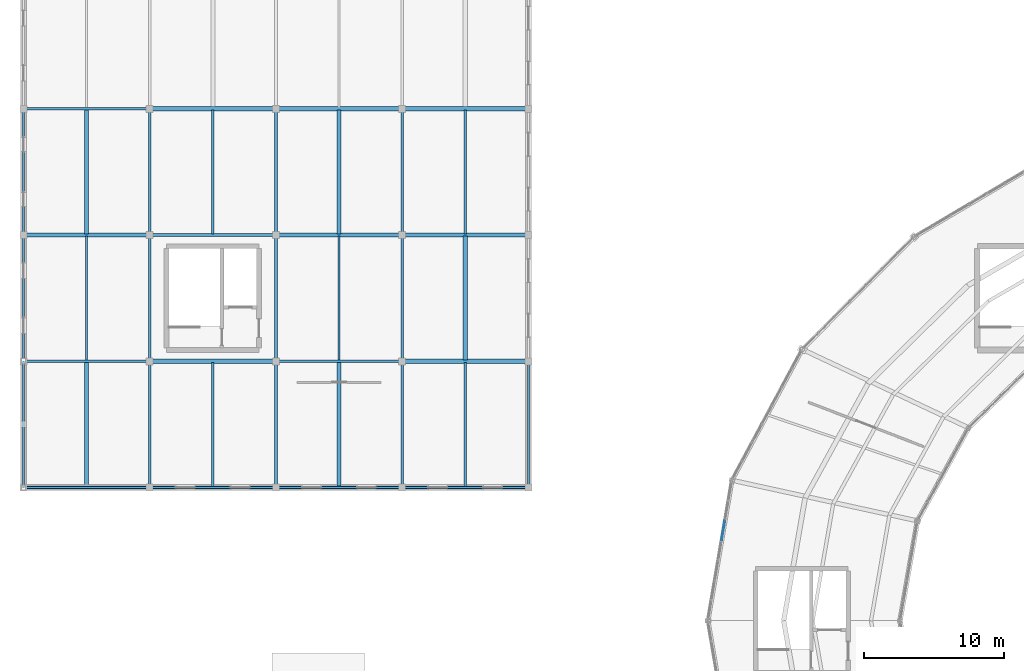
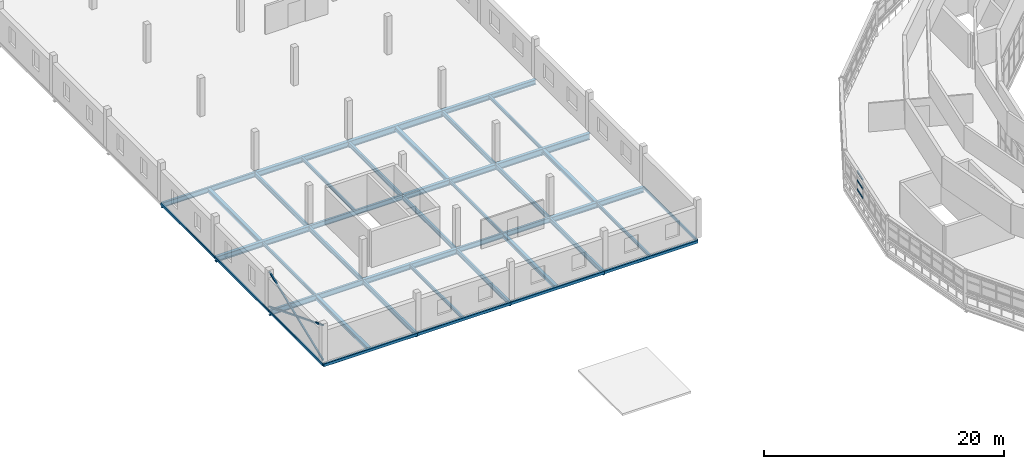
# One storey, part 41 of 123: 40 beams, 6 members, 1 element without a shape of its own.
"""IFC4 building model written with IfcOpenShell, lengths in metres."""

from ifc_helpers import new_model, si_unit, direction, frame, origin, origin_2d, place, context, subcontext, project, spatial, rectangle, hollow_rectangle, i_section, extrude, material, material_profile, profile_set, type_object, element, aggregate, save


model = new_model("IFC4")

# Units and contexts
model_context = context("Model", 3, precision=1e-05, world=origin(), true_north=direction((0.0, 1.0)))
body_context = subcontext(model_context, "Body", "Model", "MODEL_VIEW")
ifc_project = project(units=[si_unit("LENGTHUNIT", "METRE"), si_unit("AREAUNIT", "SQUARE_METRE"), si_unit("VOLUMEUNIT", "CUBIC_METRE"), si_unit("PLANEANGLEUNIT", "RADIAN"), si_unit("MASSUNIT", "GRAM", prefix="KILO")], contexts=[model_context])

# Site, building, storey
site_placement = place(None, origin())
site = spatial("IfcSite", under=ifc_project, at=site_placement, CompositionType="ELEMENT")
building_placement = place(site_placement, origin())
building = spatial("IfcBuilding", under=site, at=building_placement, Name="Kildeholm Park Wholesale Market", CompositionType="ELEMENT")
storey_placement = place(building_placement, frame((0.0, 0.0, 9.60009765625)))
storey = spatial("IfcBuildingStorey", under=building, at=storey_placement, Name="L02", CompositionType="ELEMENT", Elevation=9.60009765625)

# Beams
ifc_material_1 = material(Name="Steel S355", Category="steel")
ifc_material_profile_1 = material_profile(ifc_material_1, i_section(OverallWidth=0.18994140625, OverallDepth=0.449951171875, WebThickness=0.009521484375, FlangeThickness=0.0146484375, FilletRadius=0.02099609375, at=origin_2d()), Name="IPE 450")
ifc_profile_set_1 = profile_set([ifc_material_profile_1], Name="Steel S355")
beam_type_1 = type_object("IfcBeamType", Name="Beam B-P02 IPE 450", PredefinedType="BEAM", material=ifc_profile_set_1)
for number, where, z_axis, x_axis, name in (
    (1, (9.0, 99.0, -0.545166015625), (0.0, 1.0, 0.0), (-1.0, 0.0, 0.0), "Beam BM-V4-L02-Y-009-099 BM-0923"),
    (2, (9.0, 108.0, -0.545166015625), (0.0, 1.0, 0.0), (-1.0, 0.0, 0.0), "Beam BM-V4-L02-Y-009-108 BM-0926"),
    (3, (9.0, 117.0, -0.545166015625), (0.0, 1.0, 0.0), (-1.0, 0.0, 0.0), "Beam BM-V4-L02-Y-009-117 BM-0928"),
    (4, (18.0, 99.0, -0.545166015625), (0.0, 1.0, 0.0), (-1.0, 0.0, 0.0), "Beam BM-V4-L02-Y-018-099 BM-0947"),
    (5, (18.0, 108.0, -0.545166015625), (0.0, 1.0, 0.0), (-1.0, 0.0, 0.0), "Beam BM-V4-L02-Y-018-108 BM-0950"),
    (6, (18.0, 117.0, -0.545166015625), (0.0, 1.0, 0.0), (-1.0, 0.0, 0.0), "Beam BM-V4-L02-Y-018-117 BM-0953"),
    (7, (27.0, 99.0, -0.545166015625), (0.0, 1.0, 0.0), (-1.0, 0.0, 0.0), "Beam BM-V4-L02-Y-027-099 BM-0972"),
    (8, (27.0, 108.0, -0.545166015625), (0.0, 1.0, 0.0), (-1.0, 0.0, 0.0), "Beam BM-V4-L02-Y-027-108 BM-0975"),
    (9, (27.0, 117.0, -0.545166015625), (0.0, 1.0, 0.0), (-1.0, 0.0, 0.0), "Beam BM-V4-L02-Y-027-117 BM-0978"),
):
    element("IfcBeam", number, at=place(storey_placement, frame(where, z_axis=z_axis, x_axis=x_axis)), inside=storey, type_object=beam_type_1, Name=name, PredefinedType="BEAM", context=body_context, shape_type="SweptSolid", body=[
        extrude(i_section(OverallWidth=0.18994140625, OverallDepth=0.449951171875, WebThickness=0.009521484375, FlangeThickness=0.0146484375, FilletRadius=0.02099609375, at=origin_2d()), origin(), (0.0, 0.0, 1.0), 9.0),
    ])
ifc_material_profile_2 = material_profile(ifc_material_1, i_section(OverallWidth=0.199951171875, OverallDepth=0.5, WebThickness=0.01025390625, FlangeThickness=0.01611328125, FilletRadius=0.02099609375, at=origin_2d()), Name="IPE 500")
ifc_profile_set_2 = profile_set([ifc_material_profile_2], Name="Steel S355")
beam_type_2 = type_object("IfcBeamType", Name="Beam B-P03 IPE 500", PredefinedType="BEAM", material=ifc_profile_set_2)
for number, where, z_axis, x_axis, name in (
    (10, (0.0, 126.0, -0.570068359375), (1.0, 0.0, 0.0), (0.0, 1.0, 0.0), "Beam BM-V4-L02-X-000-126 BM-0906"),
    (11, (9.0, 117.0, -0.570068359375), (1.0, 0.0, 0.0), (0.0, 1.0, 0.0), "Beam BM-V4-L02-X-009-117 BM-0927"),
    (12, (18.0, 108.0, -0.570068359375), (1.0, 0.0, 0.0), (0.0, 1.0, 0.0), "Beam BM-V4-L02-X-018-108 BM-0949"),
):
    element("IfcBeam", number, at=place(storey_placement, frame(where, z_axis=z_axis, x_axis=x_axis)), inside=storey, type_object=beam_type_2, Name=name, PredefinedType="BEAM", context=body_context, shape_type="SweptSolid", body=[
        extrude(i_section(OverallWidth=0.199951171875, OverallDepth=0.5, WebThickness=0.01025390625, FlangeThickness=0.01611328125, FilletRadius=0.02099609375, at=origin_2d()), origin(), (0.0, 0.0, 1.0), 9.0),
    ])
ifc_material_profile_3 = material_profile(ifc_material_1, i_section(OverallWidth=0.2099609375, OverallDepth=0.550048828125, WebThickness=0.010986328125, FlangeThickness=0.01708984375, FilletRadius=0.02392578125, at=origin_2d()), Name="IPE 550")
ifc_profile_set_3 = profile_set([ifc_material_profile_3], Name="Steel S355")
beam_type_3 = type_object("IfcBeamType", Name="Beam B-X01 IPE 550", PredefinedType="BEAM", material=ifc_profile_set_3)
beam_1_placement = place(storey_placement, frame((0.0, 108.0, -0.59912109375), z_axis=(1.0, 0.0, 0.0), x_axis=(0.0, 1.0, 0.0)))
element("IfcBeam", 13, at=beam_1_placement, inside=storey, type_object=beam_type_3, Name="Beam BM-V4-L02-X-000-108 BM-0900", PredefinedType="BEAM", context=body_context, shape_type="SweptSolid", body=[
    extrude(i_section(OverallWidth=0.2099609375, OverallDepth=0.550048828125, WebThickness=0.010986328125, FlangeThickness=0.01708984375, FilletRadius=0.02392578125, at=origin_2d()), origin(), (0.0, 0.0, 1.0), 9.0),
])
ifc_material_profile_4 = material_profile(ifc_material_1, i_section(OverallWidth=0.300048828125, OverallDepth=0.5400390625, WebThickness=0.012451171875, FlangeThickness=0.02392578125, FilletRadius=0.027099609375, at=origin_2d()), Name="HEA 550")
ifc_profile_set_4 = profile_set([ifc_material_profile_4], Name="Steel S355")
beam_type_4 = type_object("IfcBeamType", Name="Beam B-X02 HEA 550", PredefinedType="BEAM", material=ifc_profile_set_4)
for number, where, z_axis, x_axis, name in (
    (14, (0.0, 117.0, -0.590087890625), (1.0, 0.0, 0.0), (0.0, 1.0, 0.0), "Beam BM-V4-L02-X-000-117 BM-0903"),
    (15, (9.0, 108.0, -0.590087890625), (1.0, 0.0, 0.0), (0.0, 1.0, 0.0), "Beam BM-V4-L02-X-009-108 BM-0925"),
):
    element("IfcBeam", number, at=place(storey_placement, frame(where, z_axis=z_axis, x_axis=x_axis)), inside=storey, type_object=beam_type_4, Name=name, PredefinedType="BEAM", context=body_context, shape_type="SweptSolid", body=[
        extrude(i_section(OverallWidth=0.300048828125, OverallDepth=0.5400390625, WebThickness=0.012451171875, FlangeThickness=0.02392578125, FilletRadius=0.027099609375, at=origin_2d()), origin(), (0.0, 0.0, 1.0), 9.0),
    ])
ifc_material_profile_5 = material_profile(ifc_material_1, i_section(OverallWidth=0.300048828125, OverallDepth=0.550048828125, WebThickness=0.014892578125, FlangeThickness=0.029052734375, FilletRadius=0.027099609375, at=origin_2d()), Name="HEB 550")
ifc_profile_set_5 = profile_set([ifc_material_profile_5], Name="Steel S355")
beam_type_5 = type_object("IfcBeamType", Name="Beam B-X03 HEB 550", PredefinedType="BEAM", material=ifc_profile_set_5)
for number, where, z_axis, x_axis, name in (
    (16, (9.0, 126.0, -0.59912109375), (1.0, 0.0, 0.0), (0.0, 1.0, 0.0), "Beam BM-V4-L02-X-009-126 BM-0930"),
    (17, (18.0, 117.0, -0.59912109375), (1.0, 0.0, 0.0), (0.0, 1.0, 0.0), "Beam BM-V4-L02-X-018-117 BM-0952"),
    (18, (27.0, 108.0, -0.59912109375), (1.0, 0.0, 0.0), (0.0, 1.0, 0.0), "Beam BM-V4-L02-X-027-108 BM-0974"),
):
    element("IfcBeam", number, at=place(storey_placement, frame(where, z_axis=z_axis, x_axis=x_axis)), inside=storey, type_object=beam_type_5, Name=name, PredefinedType="BEAM", context=body_context, shape_type="SweptSolid", body=[
        extrude(i_section(OverallWidth=0.300048828125, OverallDepth=0.550048828125, WebThickness=0.014892578125, FlangeThickness=0.029052734375, FilletRadius=0.027099609375, at=origin_2d()), origin(), (0.0, 0.0, 1.0), 9.0),
    ])
ifc_material_profile_6 = material_profile(ifc_material_1, i_section(OverallWidth=0.300048828125, OverallDepth=0.64990234375, WebThickness=0.01611328125, FlangeThickness=0.031005859375, FilletRadius=0.027099609375, at=origin_2d()), Name="HEB 650")
ifc_profile_set_6 = profile_set([ifc_material_profile_6], Name="Steel S355")
beam_type_6 = type_object("IfcBeamType", Name="Beam B-X04 HEB 650", PredefinedType="BEAM", material=ifc_profile_set_6)
for number, where, z_axis, x_axis, name in (
    (19, (18.0, 126.0, -0.64501953125), (1.0, 0.0, 0.0), (0.0, 1.0, 0.0), "Beam BM-V4-L02-X-018-126 BM-0955"),
    (20, (27.0, 117.0, -0.64501953125), (1.0, 0.0, 0.0), (0.0, 1.0, 0.0), "Beam BM-V4-L02-X-027-117 BM-0977"),
):
    element("IfcBeam", number, at=place(storey_placement, frame(where, z_axis=z_axis, x_axis=x_axis)), inside=storey, type_object=beam_type_6, Name=name, PredefinedType="BEAM", context=body_context, shape_type="SweptSolid", body=[
        extrude(i_section(OverallWidth=0.300048828125, OverallDepth=0.64990234375, WebThickness=0.01611328125, FlangeThickness=0.031005859375, FilletRadius=0.027099609375, at=origin_2d()), origin(), (0.0, 0.0, 1.0), 9.0),
    ])
ifc_material_profile_7 = material_profile(ifc_material_1, i_section(OverallWidth=0.300048828125, OverallDepth=0.5, WebThickness=0.014404296875, FlangeThickness=0.028076171875, FilletRadius=0.027099609375, at=origin_2d()), Name="HEB 500")
ifc_profile_set_7 = profile_set([ifc_material_profile_7], Name="Steel S355")
beam_type_7 = type_object("IfcBeamType", Name="Beam B-X05 HEB 500", PredefinedType="BEAM", material=ifc_profile_set_7)
beam_2_placement = place(storey_placement, frame((27.0, 126.0, -0.570068359375), z_axis=(1.0, 0.0, 0.0), x_axis=(0.0, 1.0, 0.0)))
element("IfcBeam", 21, at=beam_2_placement, inside=storey, type_object=beam_type_7, Name="Beam BM-V4-L02-X-027-126 BM-0980", PredefinedType="BEAM", context=body_context, shape_type="SweptSolid", body=[
    extrude(i_section(OverallWidth=0.300048828125, OverallDepth=0.5, WebThickness=0.014404296875, FlangeThickness=0.028076171875, FilletRadius=0.027099609375, at=origin_2d()), origin(), (0.0, 0.0, 1.0), 9.0),
])
ifc_material_profile_8 = material_profile(ifc_material_1, i_section(OverallWidth=0.159912109375, OverallDepth=0.330078125, WebThickness=0.007568359375, FlangeThickness=0.011474609375, FilletRadius=0.01806640625, at=origin_2d()), Name="IPE 330")
ifc_profile_set_8 = profile_set([ifc_material_profile_8], Name="Steel S355")
beam_type_8 = type_object("IfcBeamType", Name="Beam J-03 IPE 330", PredefinedType="JOIST", material=ifc_profile_set_8)
for number, where, z_axis, x_axis, name in (
    (22, (4.5, 108.0849609375, -0.485107421875), (0.0, 1.0, 0.0), (-1.0, 0.0, 0.0), "Beam JT-V4-L02-000-108 BM-0902"),
    (23, (13.5, 99.0849609375, -0.485107421875), (0.0, 1.0, 0.0), (-1.0, 0.0, 0.0), "Beam JT-V4-L02-009-099 BM-0924"),
    (24, (13.5, 117.0849609375, -0.485107421875), (0.0, 1.0, 0.0), (-1.0, 0.0, 0.0), "Beam JT-V4-L02-009-117 BM-0929"),
    (25, (22.5, 108.0849609375, -0.485107421875), (0.0, 1.0, 0.0), (-1.0, 0.0, 0.0), "Beam JT-V4-L02-018-108 BM-0951"),
    (26, (31.5, 99.0849609375, -0.485107421875), (0.0, 1.0, 0.0), (-1.0, 0.0, 0.0), "Beam JT-V4-L02-027-099 BM-0973"),
    (27, (31.5, 117.0849609375, -0.485107421875), (0.0, 1.0, 0.0), (-1.0, 0.0, 0.0), "Beam JT-V4-L02-027-117 BM-0979"),
):
    element("IfcBeam", number, at=place(storey_placement, frame(where, z_axis=z_axis, x_axis=x_axis)), inside=storey, type_object=beam_type_8, Name=name, PredefinedType="JOIST", context=body_context, shape_type="SweptSolid", body=[
        extrude(i_section(OverallWidth=0.159912109375, OverallDepth=0.330078125, WebThickness=0.007568359375, FlangeThickness=0.011474609375, FilletRadius=0.01806640625, at=origin_2d()), origin(), (0.0, 0.0, 1.0), 8.830078125),
    ])
ifc_material_profile_9 = material_profile(ifc_material_1, i_section(OverallWidth=0.300048828125, OverallDepth=0.389892578125, WebThickness=0.010986328125, FlangeThickness=0.01904296875, FilletRadius=0.027099609375, at=origin_2d()), Name="HEA 400")
ifc_profile_set_9 = profile_set([ifc_material_profile_9], Name="Steel S355")
beam_type_9 = type_object("IfcBeamType", Name="Beam J-06 HEA 400", PredefinedType="JOIST", material=ifc_profile_set_9)
for number, where, z_axis, x_axis, name in (
    (28, (4.5, 99.0849609375, -0.51904296875), (0.0, 1.0, 0.0), (-1.0, 0.0, 0.0), "Beam JT-V4-L02-000-099 BM-0899"),
    (29, (4.5, 117.0849609375, -0.51904296875), (0.0, 1.0, 0.0), (-1.0, 0.0, 0.0), "Beam JT-V4-L02-000-117 BM-0905"),
    (30, (22.5, 99.0849609375, -0.51904296875), (0.0, 1.0, 0.0), (-1.0, 0.0, 0.0), "Beam JT-V4-L02-018-099 BM-0948"),
    (31, (22.5, 117.0849609375, -0.51904296875), (0.0, 1.0, 0.0), (-1.0, 0.0, 0.0), "Beam JT-V4-L02-018-117 BM-0954"),
    (32, (31.5, 108.0849609375, -0.51904296875), (0.0, 1.0, 0.0), (-1.0, 0.0, 0.0), "Beam JT-V4-L02-027-108 BM-0976"),
):
    element("IfcBeam", number, at=place(storey_placement, frame(where, z_axis=z_axis, x_axis=x_axis)), inside=storey, type_object=beam_type_9, Name=name, PredefinedType="JOIST", context=body_context, shape_type="SweptSolid", body=[
        extrude(i_section(OverallWidth=0.300048828125, OverallDepth=0.389892578125, WebThickness=0.010986328125, FlangeThickness=0.01904296875, FilletRadius=0.027099609375, at=origin_2d()), origin(), (0.0, 0.0, 1.0), 8.830078125),
    ])
ifc_material_profile_10 = material_profile(ifc_material_1, hollow_rectangle(XDim=0.199951171875, YDim=0.300048828125, WallThickness=0.012451171875, InnerFilletRadius=0.012451171875, OuterFilletRadius=0.02490234375, at=origin_2d()), Name="RHS 300x200x12.5")
ifc_profile_set_10 = profile_set([ifc_material_profile_10], Name="Steel S355")
beam_type_10 = type_object("IfcBeamType", Name="Beam SP-01 RHS 300x200x12.5", PredefinedType="SPANDREL", material=ifc_profile_set_10)
for number, where, z_axis, x_axis, name in (
    (33, (0.0, 99.0, -0.47412109375), (1.0, 0.0, 0.0), (0.0, 1.0, 0.0), "Beam BM-V4-L02-X-000-099 BM-0897"),
    (34, (9.0, 99.0, -0.47412109375), (1.0, 0.0, 0.0), (0.0, 1.0, 0.0), "Beam BM-V4-L02-X-009-099 BM-0922"),
    (35, (18.0, 99.0, -0.47412109375), (1.0, 0.0, 0.0), (0.0, 1.0, 0.0), "Beam BM-V4-L02-X-018-099 BM-0946"),
    (36, (27.0, 99.0, -0.47412109375), (1.0, 0.0, 0.0), (0.0, 1.0, 0.0), "Beam BM-V4-L02-X-027-099 BM-0971"),
):
    element("IfcBeam", number, at=place(storey_placement, frame(where, z_axis=z_axis, x_axis=x_axis)), inside=storey, type_object=beam_type_10, Name=name, PredefinedType="SPANDREL", context=body_context, shape_type="SweptSolid", body=[
        extrude(hollow_rectangle(XDim=0.199951171875, YDim=0.300048828125, WallThickness=0.012451171875, InnerFilletRadius=0.012451171875, OuterFilletRadius=0.02490234375, at=origin_2d()), origin(), (0.0, 0.0, 1.0), 9.0),
    ])
ifc_material_profile_11 = material_profile(ifc_material_1, hollow_rectangle(XDim=0.14990234375, YDim=0.25, WallThickness=0.010009765625, InnerFilletRadius=0.010009765625, OuterFilletRadius=0.02001953125, at=origin_2d()), Name="RHS 250x150x10")
ifc_profile_set_11 = profile_set([ifc_material_profile_11], Name="Steel S355")
beam_type_11 = type_object("IfcBeamType", Name="Beam SP-02 RHS 250x150x10", PredefinedType="SPANDREL", material=ifc_profile_set_11)
for number, where, z_axis, x_axis, name in (
    (37, (0.0, 99.0, -0.445068359375), (0.0, 1.0, 0.0), (-1.0, 0.0, 0.0), "Beam BM-V4-L02-Y-000-099 BM-0898"),
    (38, (0.0, 108.0, -0.445068359375), (0.0, 1.0, 0.0), (-1.0, 0.0, 0.0), "Beam BM-V4-L02-Y-000-108 BM-0901"),
    (39, (0.0, 117.0, -0.445068359375), (0.0, 1.0, 0.0), (-1.0, 0.0, 0.0), "Beam BM-V4-L02-Y-000-117 BM-0904"),
    (40, (36.0, 99.0, -0.445068359375), (0.0, 1.0, 0.0), (-1.0, 0.0, 0.0), "Beam BM-V4-L02-Y-036-099 BM-0996"),
):
    element("IfcBeam", number, at=place(storey_placement, frame(where, z_axis=z_axis, x_axis=x_axis)), inside=storey, type_object=beam_type_11, Name=name, PredefinedType="SPANDREL", context=body_context, shape_type="SweptSolid", body=[
        extrude(hollow_rectangle(XDim=0.14990234375, YDim=0.25, WallThickness=0.010009765625, InnerFilletRadius=0.010009765625, OuterFilletRadius=0.02001953125, at=origin_2d()), origin(), (0.0, 0.0, 1.0), 9.0),
    ])

# Curtain wall, members
ifc_material_2 = material(Name="Anodised aluminium and low-E double-glazed glass", Category="aluminium")
curtain_wall_type = type_object("IfcCurtainWallType", Name="Clerestory daylight stick curtain wall CW-02", PredefinedType="NOTDEFINED", material=ifc_material_2)
curtain_wall_placement = place(storey_placement, origin())
curtain_wall = element("IfcCurtainWall", 41, at=curtain_wall_placement, inside=storey, type_object=curtain_wall_type, Name="Curtain wall CW-V1-CL-11 CW-0055", PredefinedType="NOTDEFINED")
ifc_material_3 = material(Name="Anodised aluminium", Category="aluminium")
ifc_material_profile_12 = material_profile(ifc_material_3, rectangle(XDim=0.06005859375, YDim=0.1201171875, at=origin_2d()), Name="CWT 60x120")
ifc_profile_set_12 = profile_set([ifc_material_profile_12], Name="Anodised aluminium")
member_type_1 = type_object("IfcMemberType", Name="Curtain-wall transom CWT-3 CWT 60x120", PredefinedType="USERDEFINED", material=ifc_profile_set_12)
member_1_placement = place(storey_placement, frame((50.007080078125, 96.60888671875, 1.3798828125), z_axis=(-0.168413853198, -0.985716376069, 0.0), x_axis=(0.985716376069, -0.168413853198, 0.0)))
member_1 = element("IfcMember", 42, at=member_1_placement, type_object=member_type_1, Name="CW-02 transom 3.1 MEM-1918", ObjectType="TRANSOM", PredefinedType="USERDEFINED", context=body_context, shape_type="SweptSolid", body=[
    extrude(rectangle(XDim=0.06005859375, YDim=0.1201171875, at=origin_2d()), origin(), (0.0, 0.0, 1.0), 1.380126953125),
])
member_2_placement = place(storey_placement, frame((50.007080078125, 96.60888671875, 2.2998046875), z_axis=(-0.168413853198, -0.985716376069, 0.0), x_axis=(0.985716376069, -0.168413853198, 0.0)))
member_2 = element("IfcMember", 43, at=member_2_placement, type_object=member_type_1, Name="CW-02 transom 3.2 MEM-1919", ObjectType="TRANSOM", PredefinedType="USERDEFINED", context=body_context, shape_type="SweptSolid", body=[
    extrude(rectangle(XDim=0.06005859375, YDim=0.1201171875, at=origin_2d()), origin(), (0.0, 0.0, 1.0), 1.380126953125),
])
member_3_placement = place(storey_placement, frame((50.007080078125, 96.60888671875, 3.219970703125), z_axis=(-0.168413853198, -0.985716376069, 0.0), x_axis=(0.985716376069, -0.168413853198, 0.0)))
member_3 = element("IfcMember", 44, at=member_3_placement, type_object=member_type_1, Name="CW-02 transom 3.3 MEM-1920", ObjectType="TRANSOM", PredefinedType="USERDEFINED", context=body_context, shape_type="SweptSolid", body=[
    extrude(rectangle(XDim=0.06005859375, YDim=0.1201171875, at=origin_2d()), origin(), (0.0, 0.0, 1.0), 1.380126953125),
])
aggregate(curtain_wall, [member_1, member_2, member_3])

# Members
ifc_material_profile_13 = material_profile(ifc_material_1, hollow_rectangle(XDim=0.14990234375, YDim=0.14990234375, WallThickness=0.010009765625, InnerFilletRadius=0.010009765625, OuterFilletRadius=0.02001953125, at=origin_2d()), Name="SHS 150x150x10")
ifc_profile_set_13 = profile_set([ifc_material_profile_13], Name="Steel S355")
member_type_2 = type_object("IfcMemberType", Name="Member TB-03 SHS 150x150x10", PredefinedType="BRACE", material=ifc_profile_set_13)
member_4_placement = place(storey_placement, frame((0.0, 99.0, 0.02001953125), z_axis=(0.0, 0.929901538652, 0.367808548586), x_axis=(-1.0, 0.0, 0.0)))
element("IfcMember", 45, at=member_4_placement, inside=storey, type_object=member_type_2, Name="Member BR-V4-L02-1 MEM-0354", PredefinedType="BRACE", context=body_context, shape_type="SweptSolid", body=[
    extrude(hollow_rectangle(XDim=0.14990234375, YDim=0.14990234375, WallThickness=0.010009765625, InnerFilletRadius=0.010009765625, OuterFilletRadius=0.02001953125, at=origin_2d()), origin(), (0.0, 0.0, 1.0), 9.678466796875),
])
for number, where, z_axis, x_axis, name in (
    (46, (0.0, 108.0, 0.02001953125), (0.0, -0.929908127292, 0.367791890608), (1.0, 0.0, 0.0), "Member BR-V4-L02-2A MEM-0355"),
    (47, (0.0, 103.462890625, 1.814697265625), (0.0, -0.929908127292, 0.367791890608), (1.0, 0.0, 0.0), "Member BR-V4-L02-2B MEM-0356"),
):
    element("IfcMember", number, at=place(storey_placement, frame(where, z_axis=z_axis, x_axis=x_axis)), inside=storey, type_object=member_type_2, Name=name, PredefinedType="BRACE", context=body_context, shape_type="SweptSolid", body=[
        extrude(hollow_rectangle(XDim=0.14990234375, YDim=0.14990234375, WallThickness=0.010009765625, InnerFilletRadius=0.010009765625, OuterFilletRadius=0.02001953125, at=origin_2d()), origin(), (0.0, 0.0, 1.0), 4.79931640625),
    ])

save(model, "model.ifc")
